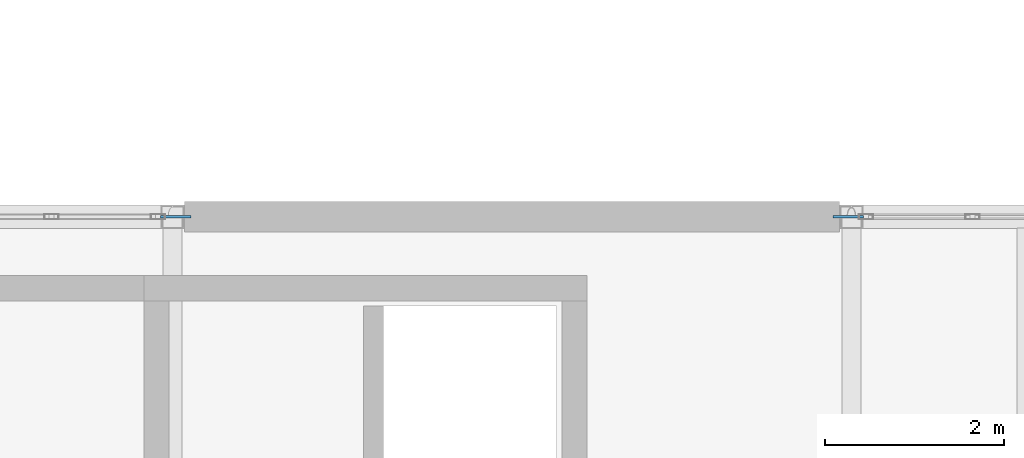
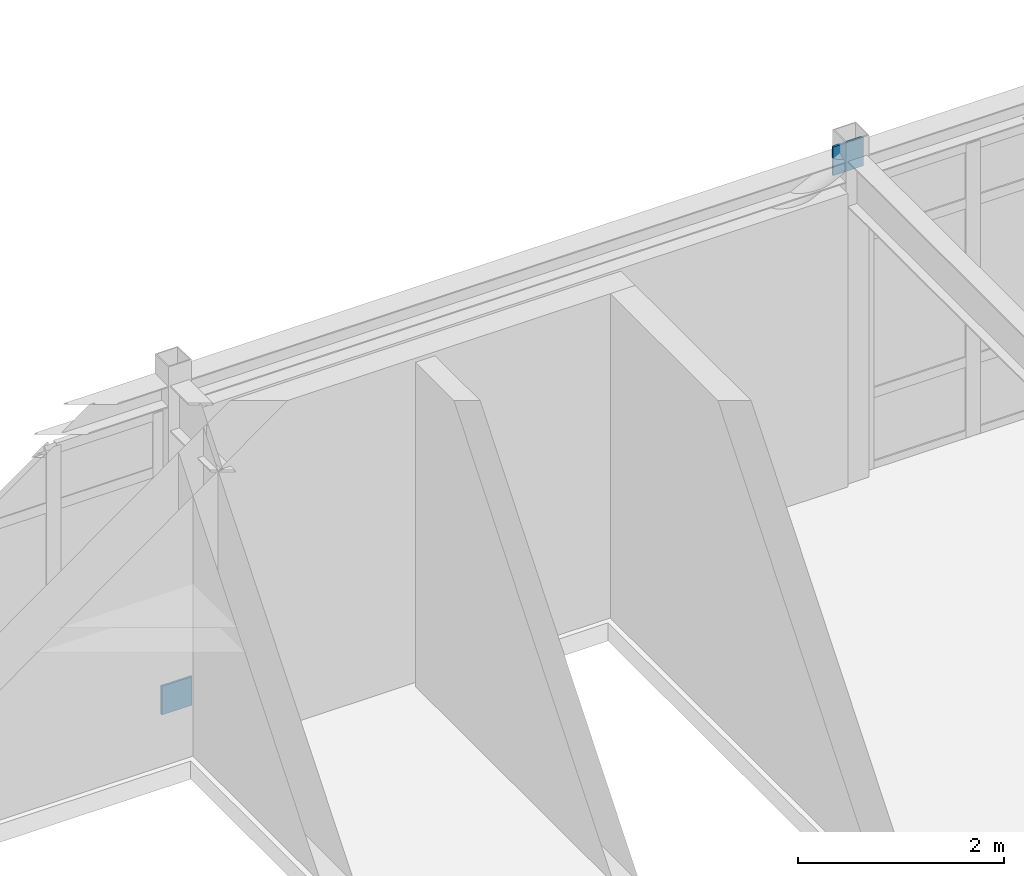
# One storey, part 173 of 189: 2 discrete accessories.
"""IFC4 building model written with IfcOpenShell, lengths in metres."""

from ifc_helpers import new_model, si_unit, direction, frame, origin, origin_2d, place, context, subcontext, project, spatial, rectangle, extrude, material, type_object, element, save


model = new_model("IFC4")

# Units and contexts
model_context = context("Model", 3, precision=1e-05, world=origin(), true_north=direction((0.0, 1.0)))
body_context = subcontext(model_context, "Body", "Model", "MODEL_VIEW")
ifc_project = project(units=[si_unit("LENGTHUNIT", "METRE"), si_unit("AREAUNIT", "SQUARE_METRE"), si_unit("VOLUMEUNIT", "CUBIC_METRE"), si_unit("PLANEANGLEUNIT", "RADIAN"), si_unit("MASSUNIT", "GRAM", prefix="KILO")], contexts=[model_context])

# Site, building, storey
site_placement = place(None, origin())
site = spatial("IfcSite", under=ifc_project, at=site_placement, CompositionType="ELEMENT")
building_placement = place(site_placement, origin())
building = spatial("IfcBuilding", under=site, at=building_placement, Name="Montecoro Central Library", CompositionType="ELEMENT")
storey_placement = place(building_placement, frame((0.0, 0.0, 9.179931640625)))
storey = spatial("IfcBuildingStorey", under=building, at=storey_placement, Name="L02", CompositionType="ELEMENT", Elevation=9.179931640625)

# Discrete accessories
ifc_material = material(Name="Steel S355", Category="steel")
discrete_accessory_type = type_object("IfcDiscreteAccessoryType", Name="GUSSET-PLT-01", PredefinedType="BRACKET", material=ifc_material)
for number, where, z_axis, x_axis, name in (
    (1, (12.635986328125, 111.39990234375, -0.14208984375), (0.0, 0.0, 1.0), (1.0, 0.0, 0.0), "V4-L02-BRN1-GPA"),
    (2, (20.1640625, 111.39990234375, 3.6171875), (0.0, 0.0, 1.0), (1.0, 0.0, 0.0), "V4-L02-BRN1-GPB"),
):
    element("IfcDiscreteAccessory", number, at=place(storey_placement, frame(where, z_axis=z_axis, x_axis=x_axis)), inside=storey, type_object=discrete_accessory_type, Name=name, PredefinedType="BRACKET", context=body_context, shape_type="SweptSolid", body=[
        extrude(rectangle(XDim=0.340087890625, YDim=0.02392578125, at=origin_2d()), origin(), (0.0, 0.0, 1.0), 0.340087890625),
    ])

save(model, "model.ifc")
